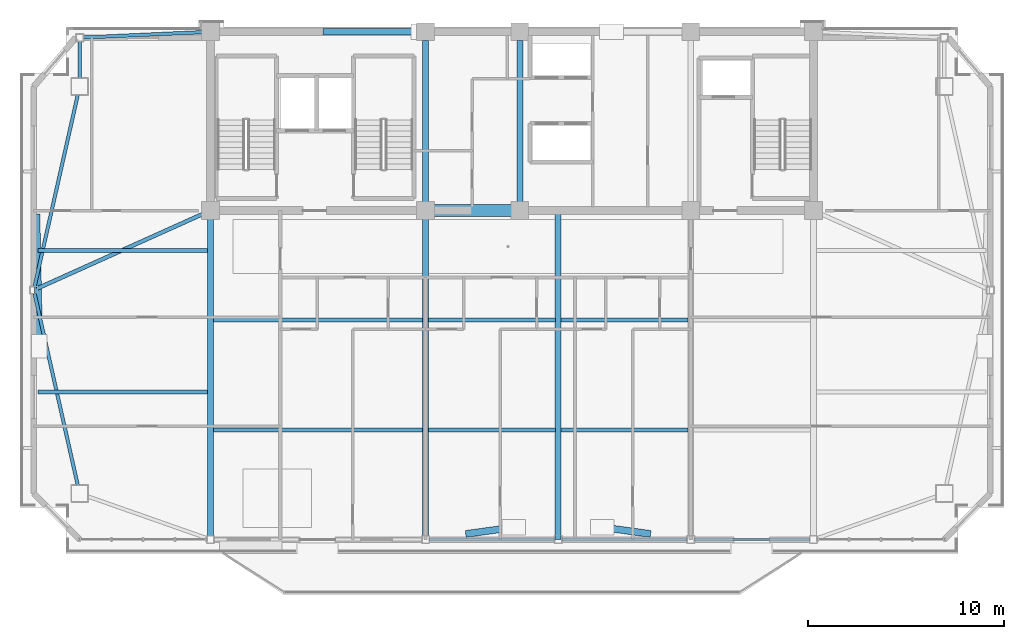
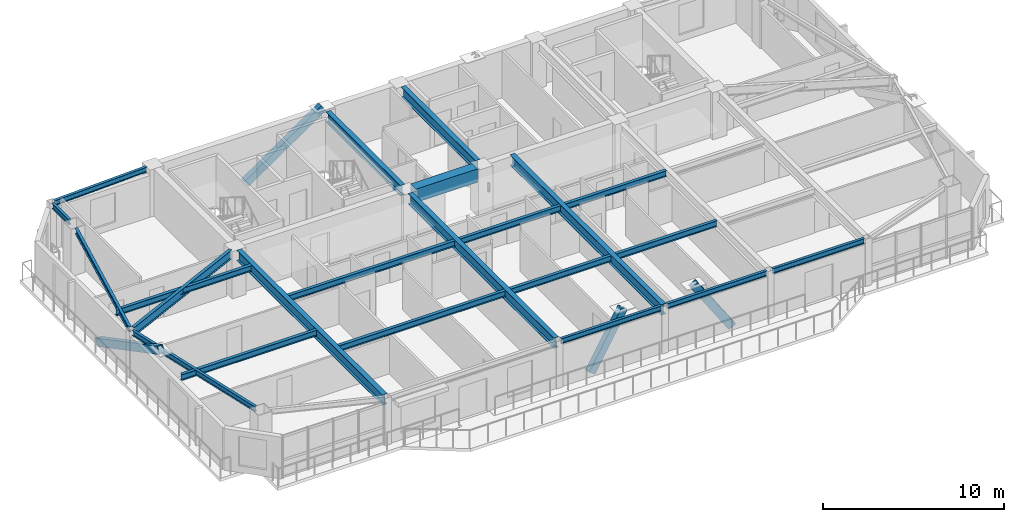
# One storey, part 3 of 14: 22 beams, 4 members.
"""IFC4 building model written with IfcOpenShell, lengths in metres."""

from ifc_helpers import new_model, si_unit, direction, frame, origin, origin_2d, place, context, subcontext, project, spatial, rectangle, hollow_rectangle, i_section, extrude, source, transform, mapped, material, material_profile, profile_set, type_object, element, save


model = new_model("IFC4")

# Units and contexts
model_context = context("Model", 3, precision=1e-05, world=origin(), true_north=direction((0.0, 1.0)))
body_context = subcontext(model_context, "Body", "Model", "MODEL_VIEW")
ifc_project = project(units=[si_unit("LENGTHUNIT", "METRE"), si_unit("AREAUNIT", "SQUARE_METRE"), si_unit("VOLUMEUNIT", "CUBIC_METRE"), si_unit("PLANEANGLEUNIT", "RADIAN"), si_unit("MASSUNIT", "GRAM", prefix="KILO")], contexts=[model_context])

# Site, building, storey
site_placement = place(None, origin())
site = spatial("IfcSite", under=ifc_project, at=site_placement, CompositionType="ELEMENT")
building_placement = place(site_placement, origin())
building = spatial("IfcBuilding", under=site, at=building_placement, Name="Giltprow Tower", CompositionType="ELEMENT")
storey_placement = place(building_placement, frame((0.0, 0.0, 317.60009765625)))
storey = spatial("IfcBuildingStorey", under=building, at=storey_placement, Name="L82", CompositionType="ELEMENT", Elevation=317.60009765625)

# Beams
ifc_material_1 = material(Name="Structural steel Q355B", Category="steel")
ifc_material_profile_1 = material_profile(ifc_material_1, i_section(OverallWidth=0.199951171875, OverallDepth=0.39990234375, WebThickness=0.008056640625, FlangeThickness=0.012939453125, at=origin_2d()), Name="HN 400x200x8x13")
ifc_profile_set_1 = profile_set([ifc_material_profile_1], Name="Structural steel Q355B")
beam_type_1 = type_object("IfcBeamType", Name="BM-JOIST-HN400", PredefinedType="JOIST", material=ifc_profile_set_1)
shared_shape_1 = source(origin(), body_context, "Body", "SweptSolid", [
    extrude(i_section(OverallWidth=0.199951171875, OverallDepth=0.39990234375, WebThickness=0.008056640625, FlangeThickness=0.012939453125, at=origin_2d()), origin(), (0.0, 0.0, 1.0), 10.659912109375),
])
for number, where, z_axis, x_axis, name in (
    (1, (19.9951171875, 26.285888671875, 2.98486328125), (1.0, 0.0, 0.0), (0.0, 1.0, 0.0), "L82 Composite Floor Joist 1-1"),
    (2, (19.9951171875, 31.867919921875, 2.98486328125), (1.0, 0.0, 0.0), (0.0, 1.0, 0.0), "L82 Composite Floor Joist 2-1"),
):
    element("IfcBeam", number, at=place(storey_placement, frame(where, z_axis=z_axis, x_axis=x_axis)), inside=storey, type_object=beam_type_1, Name=name, PredefinedType="JOIST", context=body_context, shape_type="MappedRepresentation", body=[
        mapped(shared_shape_1, transform((0.0, 0.0, 0.0), x_axis=(1.0, 0.0, 0.0), y_axis=(0.0, 1.0, 0.0), z_axis=(0.0, 0.0, 1.0), scale=1.0)),
    ])
shared_shape_2 = source(origin(), body_context, "Body", "SweptSolid", [
    extrude(i_section(OverallWidth=0.199951171875, OverallDepth=0.39990234375, WebThickness=0.008056640625, FlangeThickness=0.012939453125, at=origin_2d()), origin(), (0.0, 0.0, 1.0), 6.4599609375),
])
for number, where, z_axis, x_axis, name in (
    (3, (30.945068359375, 26.285888671875, 2.98486328125), (1.0, 0.0, 0.0), (0.0, 1.0, 0.0), "L82 Composite Floor Joist 1-2"),
    (4, (37.695068359375, 26.285888671875, 2.98486328125), (1.0, 0.0, 0.0), (0.0, 1.0, 0.0), "L82 Composite Floor Joist 1-3"),
    (5, (30.945068359375, 31.867919921875, 2.98486328125), (1.0, 0.0, 0.0), (0.0, 1.0, 0.0), "L82 Composite Floor Joist 2-2"),
    (6, (37.695068359375, 31.867919921875, 2.98486328125), (1.0, 0.0, 0.0), (0.0, 1.0, 0.0), "L82 Composite Floor Joist 2-3"),
):
    element("IfcBeam", number, at=place(storey_placement, frame(where, z_axis=z_axis, x_axis=x_axis)), inside=storey, type_object=beam_type_1, Name=name, PredefinedType="JOIST", context=body_context, shape_type="MappedRepresentation", body=[
        mapped(shared_shape_2, transform((0.0, 0.0, 0.0), x_axis=(1.0, 0.0, 0.0), y_axis=(0.0, 1.0, 0.0), z_axis=(0.0, 0.0, 1.0), scale=1.0)),
    ])
ifc_material_2 = material(Name="Concrete C50", Category="concrete")
ifc_material_profile_2 = material_profile(ifc_material_2, rectangle(XDim=0.60009765625, YDim=0.89990234375, at=origin_2d()), Name="RC 900x600")
ifc_profile_set_2 = profile_set([ifc_material_profile_2], Name="Concrete C50")
beam_type_2 = type_object("IfcBeamType", Name="BM-CPL-RC900", PredefinedType="LINTEL", material=ifc_profile_set_2)
shared_shape_3 = source(origin(), body_context, "Body", "SweptSolid", [
    extrude(rectangle(XDim=0.60009765625, YDim=0.89990234375, at=origin_2d()), origin(), (0.0, 0.0, 1.0), 3.929931640625),
])
beam_1_placement = place(storey_placement, frame((31.235107421875, 37.449951171875, 2.73486328125), z_axis=(1.0, 0.0, 0.0), x_axis=(0.0, 1.0, 0.0)))
element("IfcBeam", 7, at=beam_1_placement, inside=storey, type_object=beam_type_2, Name="L82 Core Coupling Beam CB-1", PredefinedType="LINTEL", context=body_context, shape_type="MappedRepresentation", body=[
    mapped(shared_shape_3, transform((0.0, 0.0, 0.0), x_axis=(1.0, 0.0, 0.0), y_axis=(0.0, 1.0, 0.0), z_axis=(0.0, 0.0, 1.0), scale=1.0)),
])
ifc_material_profile_3 = material_profile(ifc_material_1, i_section(OverallWidth=0.300048828125, OverallDepth=0.699951171875, WebThickness=0.012939453125, FlangeThickness=0.02392578125, at=origin_2d()), Name="HN 700x300x13x24")
ifc_profile_set_3 = profile_set([ifc_material_profile_3], Name="Structural steel Q355B")
beam_type_3 = type_object("IfcBeamType", Name="BM-GIRD-HN700", PredefinedType="BEAM", material=ifc_profile_set_3)
shared_shape_4 = source(origin(), body_context, "Body", "SweptSolid", [
    extrude(i_section(OverallWidth=0.300048828125, OverallDepth=0.699951171875, WebThickness=0.012939453125, FlangeThickness=0.02392578125, at=origin_2d()), origin(), (0.0, 0.0, 1.0), 8.22998046875),
])
for number, where, z_axis, x_axis, name in (
    (8, (30.800048828125, 37.885009765625, 2.8349609375), (0.0, 1.0, 0.0), (-1.0, 0.0, 0.0), "L82 Core Tie Girder M1"),
    (9, (35.60009765625, 37.885009765625, 2.8349609375), (0.0, 1.0, 0.0), (-1.0, 0.0, 0.0), "L82 Core Tie Girder M2"),
):
    element("IfcBeam", number, at=place(storey_placement, frame(where, z_axis=z_axis, x_axis=x_axis)), inside=storey, type_object=beam_type_3, Name=name, PredefinedType="BEAM", context=body_context, shape_type="MappedRepresentation", body=[
        mapped(shared_shape_4, transform((0.0, 0.0, 0.0), x_axis=(1.0, 0.0, 0.0), y_axis=(0.0, 1.0, 0.0), z_axis=(0.0, 0.0, 1.0), scale=1.0)),
    ])
ifc_material_profile_4 = material_profile(ifc_material_1, i_section(OverallWidth=0.175048828125, OverallDepth=0.35009765625, WebThickness=0.007080078125, FlangeThickness=0.010986328125, at=origin_2d()), Name="HN 350x175x7x11")
ifc_profile_set_4 = profile_set([ifc_material_profile_4], Name="Structural steel Q355B")
beam_type_4 = type_object("IfcBeamType", Name="BM-SPAN-HN350", PredefinedType="SPANDREL", material=ifc_profile_set_4)
shared_shape_5 = source(origin(), body_context, "Body", "SweptSolid", [
    extrude(i_section(OverallWidth=0.175048828125, OverallDepth=0.35009765625, WebThickness=0.007080078125, FlangeThickness=0.010986328125, at=origin_2d()), origin(), (0.0, 0.0, 1.0), 6.3798828125),
])
for number, where, z_axis, x_axis, name in (
    (10, (30.985107421875, 20.7041015625, 3.010009765625), (1.0, 0.0, 0.0), (0.0, 1.0, 0.0), "L82 Perimeter Spandrel Beam S2-S_MID"),
    (11, (37.735107421875, 20.7041015625, 3.010009765625), (1.0, 0.0, 0.0), (0.0, 1.0, 0.0), "L82 Perimeter Spandrel Beam S_MID-S3"),
):
    element("IfcBeam", number, at=place(storey_placement, frame(where, z_axis=z_axis, x_axis=x_axis)), inside=storey, type_object=beam_type_4, Name=name, PredefinedType="SPANDREL", context=body_context, shape_type="MappedRepresentation", body=[
        mapped(shared_shape_5, transform((0.0, 0.0, 0.0), x_axis=(1.0, 0.0, 0.0), y_axis=(0.0, 1.0, 0.0), z_axis=(0.0, 0.0, 1.0), scale=1.0)),
    ])
shared_shape_6 = source(origin(), body_context, "Body", "SweptSolid", [
    extrude(i_section(OverallWidth=0.175048828125, OverallDepth=0.35009765625, WebThickness=0.007080078125, FlangeThickness=0.010986328125, at=origin_2d()), origin(), (0.0, 0.0, 1.0), 5.8798828125),
])
beam_2_placement = place(storey_placement, frame((44.485107421875, 20.7041015625, 3.010009765625), z_axis=(1.0, 0.0, 0.0), x_axis=(0.0, 1.0, 0.0)))
element("IfcBeam", 12, at=beam_2_placement, inside=storey, type_object=beam_type_4, Name="L82 Perimeter Spandrel Beam S3-S4", PredefinedType="SPANDREL", context=body_context, shape_type="MappedRepresentation", body=[
    mapped(shared_shape_6, transform((0.0, 0.0, 0.0), x_axis=(1.0, 0.0, 0.0), y_axis=(0.0, 1.0, 0.0), z_axis=(0.0, 0.0, 1.0), scale=1.0)),
])
shared_shape_7 = source(origin(), body_context, "Body", "SweptSolid", [
    extrude(i_section(OverallWidth=0.175048828125, OverallDepth=0.35009765625, WebThickness=0.007080078125, FlangeThickness=0.010986328125, at=origin_2d()), origin(), (0.0, 0.0, 1.0), 10.0009765625),
])
for number, where, z_axis, x_axis, name in (
    (13, (13.096923828125, 43.337890625, 3.010009765625), (-0.22006980481, -0.975484126478, 0.0), (0.975484126478, -0.22006980481, 0.0), "L82 Perimeter Spandrel Beam MC_NW-W_MID"),
    (14, (10.89599609375, 33.221923828125, 3.010009765625), (0.22006980481, -0.975484126478, 0.0), (0.975484126478, 0.22006980481, 0.0), "L82 Perimeter Spandrel Beam W_MID-MC_SW"),
):
    element("IfcBeam", number, at=place(storey_placement, frame(where, z_axis=z_axis, x_axis=x_axis)), inside=storey, type_object=beam_type_4, Name=name, PredefinedType="SPANDREL", context=body_context, shape_type="MappedRepresentation", body=[
        mapped(shared_shape_7, transform((0.0, 0.0, 0.0), x_axis=(1.0, 0.0, 0.0), y_axis=(0.0, 1.0, 0.0), z_axis=(0.0, 0.0, 1.0), scale=1.0)),
    ])
shared_shape_8 = source(origin(), body_context, "Body", "SweptSolid", [
    extrude(i_section(OverallWidth=0.175048828125, OverallDepth=0.35009765625, WebThickness=0.007080078125, FlangeThickness=0.010986328125, at=origin_2d()), origin(), (0.0, 0.0, 1.0), 1.867919921875),
])
beam_3_placement = place(storey_placement, frame((13.193115234375, 46.06494140625, 3.010009765625), z_axis=(0.0, -1.0, 0.0), x_axis=(1.0, 0.0, 0.0)))
element("IfcBeam", 15, at=beam_3_placement, inside=storey, type_object=beam_type_4, Name="L82 Perimeter Spandrel Beam N_W-MC_NW", PredefinedType="SPANDREL", context=body_context, shape_type="MappedRepresentation", body=[
    mapped(shared_shape_8, transform((0.0, 0.0, 0.0), x_axis=(1.0, 0.0, 0.0), y_axis=(0.0, 1.0, 0.0), z_axis=(0.0, 0.0, 1.0), scale=1.0)),
])
shared_shape_9 = source(origin(), body_context, "Body", "SweptSolid", [
    extrude(i_section(OverallWidth=0.175048828125, OverallDepth=0.35009765625, WebThickness=0.007080078125, FlangeThickness=0.010986328125, at=origin_2d()), origin(), (0.0, 0.0, 1.0), 6.043212890625),
])
beam_4_placement = place(storey_placement, frame((13.3779296875, 46.258056640625, 3.010009765625), z_axis=(0.998986784184, 0.045004500064, 0.0), x_axis=(-0.045004500064, 0.998986784184, 0.0)))
element("IfcBeam", 16, at=beam_4_placement, inside=storey, type_object=beam_type_4, Name="L82 North Wing Spandrel W", PredefinedType="SPANDREL", context=body_context, shape_type="MappedRepresentation", body=[
    mapped(shared_shape_9, transform((0.0, 0.0, 0.0), x_axis=(1.0, 0.0, 0.0), y_axis=(0.0, 1.0, 0.0), z_axis=(0.0, 0.0, 1.0), scale=1.0)),
])
shared_shape_10 = source(origin(), body_context, "Body", "SweptSolid", [
    extrude(i_section(OverallWidth=0.300048828125, OverallDepth=0.699951171875, WebThickness=0.012939453125, FlangeThickness=0.02392578125, at=origin_2d()), origin(), (0.0, 0.0, 1.0), 16.1259765625),
])
for number, where, z_axis, x_axis, name in (
    (17, (19.85009765625, 20.888916015625, 2.8349609375), (0.0, 1.0, 0.0), (-1.0, 0.0, 0.0), "L82 Primary Lease Girder S1"),
    (18, (30.800048828125, 20.888916015625, 2.8349609375), (0.0, 1.0, 0.0), (-1.0, 0.0, 0.0), "L82 Primary Lease Girder S2"),
):
    element("IfcBeam", number, at=place(storey_placement, frame(where, z_axis=z_axis, x_axis=x_axis)), inside=storey, type_object=beam_type_3, Name=name, PredefinedType="BEAM", context=body_context, shape_type="MappedRepresentation", body=[
        mapped(shared_shape_10, transform((0.0, 0.0, 0.0), x_axis=(1.0, 0.0, 0.0), y_axis=(0.0, 1.0, 0.0), z_axis=(0.0, 0.0, 1.0), scale=1.0)),
    ])
shared_shape_11 = source(origin(), body_context, "Body", "SweptSolid", [
    extrude(i_section(OverallWidth=0.300048828125, OverallDepth=0.699951171875, WebThickness=0.012939453125, FlangeThickness=0.02392578125, at=origin_2d()), origin(), (0.0, 0.0, 1.0), 16.745849609375),
])
beam_5_placement = place(storey_placement, frame((37.550048828125, 20.7041015625, 2.8349609375), z_axis=(0.0, 1.0, 0.0), x_axis=(-1.0, 0.0, 0.0)))
element("IfcBeam", 19, at=beam_5_placement, inside=storey, type_object=beam_type_3, Name="L82 Central Lease Girder SMID", PredefinedType="BEAM", context=body_context, shape_type="MappedRepresentation", body=[
    mapped(shared_shape_11, transform((0.0, 0.0, 0.0), x_axis=(1.0, 0.0, 0.0), y_axis=(0.0, 1.0, 0.0), z_axis=(0.0, 0.0, 1.0), scale=1.0)),
])
ifc_material_profile_5 = material_profile(ifc_material_1, i_section(OverallWidth=0.199951171875, OverallDepth=0.60009765625, WebThickness=0.010986328125, FlangeThickness=0.01708984375, at=origin_2d()), Name="HN 600x200x11x17")
ifc_profile_set_5 = profile_set([ifc_material_profile_5], Name="Structural steel Q355B")
beam_type_5 = type_object("IfcBeamType", Name="BM-GIRD-HN600", PredefinedType="BEAM", material=ifc_profile_set_5)
shared_shape_12 = source(origin(), body_context, "Body", "SweptSolid", [
    extrude(i_section(OverallWidth=0.199951171875, OverallDepth=0.60009765625, WebThickness=0.010986328125, FlangeThickness=0.01708984375, at=origin_2d()), origin(), (0.0, 0.0, 1.0), 9.2431640625),
])
beam_6_placement = place(storey_placement, frame((11.02392578125, 33.47802734375, 2.885009765625), z_axis=(0.91192397627, 0.410359185962, 0.0), x_axis=(-0.410359185962, 0.91192397627, 0.0)))
element("IfcBeam", 20, at=beam_6_placement, inside=storey, type_object=beam_type_5, Name="L82 West Wing Primary Girder", PredefinedType="BEAM", context=body_context, shape_type="MappedRepresentation", body=[
    mapped(shared_shape_12, transform((0.0, 0.0, 0.0), x_axis=(1.0, 0.0, 0.0), y_axis=(0.0, 1.0, 0.0), z_axis=(0.0, 0.0, 1.0), scale=1.0)),
])
shared_shape_13 = source(origin(), body_context, "Body", "SweptSolid", [
    extrude(i_section(OverallWidth=0.199951171875, OverallDepth=0.39990234375, WebThickness=0.008056640625, FlangeThickness=0.012939453125, at=origin_2d()), origin(), (0.0, 0.0, 1.0), 8.630126953125),
])
for number, where, z_axis, x_axis, name in (
    (21, (11.074951171875, 28.221923828125, 2.98486328125), (1.0, 0.0, 0.0), (0.0, 1.0, 0.0), "L82 West Wing Floor Joist 1"),
    (22, (11.074951171875, 35.426025390625, 2.98486328125), (1.0, 0.0, 0.0), (0.0, 1.0, 0.0), "L82 West Wing Floor Joist 2"),
):
    element("IfcBeam", number, at=place(storey_placement, frame(where, z_axis=z_axis, x_axis=x_axis)), inside=storey, type_object=beam_type_1, Name=name, PredefinedType="JOIST", context=body_context, shape_type="MappedRepresentation", body=[
        mapped(shared_shape_13, transform((0.0, 0.0, 0.0), x_axis=(1.0, 0.0, 0.0), y_axis=(0.0, 1.0, 0.0), z_axis=(0.0, 0.0, 1.0), scale=1.0)),
    ])

# Members
ifc_material_3 = material(Name="Structural steel Q420GJC", Category="steel")
ifc_material_profile_6 = material_profile(ifc_material_3, hollow_rectangle(XDim=0.35009765625, YDim=0.5, WallThickness=0.02392578125, at=origin_2d()), Name="RHS 500x350x24")
ifc_profile_set_6 = profile_set([ifc_material_profile_6], Name="Structural steel Q420GJC")
member_type = type_object("IfcMemberType", Name="MBR-MEGA-RHS500", PredefinedType="BRACE", material=ifc_profile_set_6)
shared_shape_14 = source(origin(), body_context, "Body", "SweptSolid", [
    extrude(hollow_rectangle(XDim=0.35009765625, YDim=0.5, WallThickness=0.02392578125, at=origin_2d()), origin(), (0.0, 0.0, 1.0), 4.0888671875),
])
for number, where, z_axis, x_axis, name in (
    (23, (33.050048828125, 21.014892578125, 0.0), (0.550288855758, 0.075831906121, 0.831523720192), (-0.13651372484, 0.990638179625, 0.0), "L82 Chevron Mega-Brace S-L"),
    (24, (42.050048828125, 21.014892578125, 0.0), (-0.550288855758, 0.075831906121, 0.831523720192), (-0.13651372484, -0.990638179625, 0.0), "L82 Chevron Mega-Brace S-R"),
):
    element("IfcMember", number, at=place(storey_placement, frame(where, z_axis=z_axis, x_axis=x_axis)), inside=storey, type_object=member_type, Name=name, PredefinedType="BRACE", context=body_context, shape_type="MappedRepresentation", body=[
        mapped(shared_shape_14, transform((0.0, 0.0, 0.0), x_axis=(1.0, 0.0, 0.0), y_axis=(0.0, 1.0, 0.0), z_axis=(0.0, 0.0, 1.0), scale=1.0)),
    ])
shared_shape_15 = source(origin(), body_context, "Body", "SweptSolid", [
    extrude(hollow_rectangle(XDim=0.35009765625, YDim=0.5, WallThickness=0.02392578125, at=origin_2d()), origin(), (0.0, 0.0, 1.0), 5.9921875),
])
member_1_placement = place(storey_placement, frame((25.73291015625, 46.550048828125, -0.14013671875), z_axis=(0.823420878969, 0.0, 0.567431102494), x_axis=(0.0, 1.0, 0.0)))
element("IfcMember", 25, at=member_1_placement, inside=storey, type_object=member_type, Name="L82 Chevron Mega-Brace N-L", PredefinedType="BRACE", context=body_context, shape_type="MappedRepresentation", body=[
    mapped(shared_shape_15, transform((0.0, 0.0, 0.0), x_axis=(1.0, 0.0, 0.0), y_axis=(0.0, 1.0, 0.0), z_axis=(0.0, 0.0, 1.0), scale=1.0)),
])
shared_shape_16 = source(origin(), body_context, "Body", "SweptSolid", [
    extrude(hollow_rectangle(XDim=0.35009765625, YDim=0.5, WallThickness=0.02392578125, at=origin_2d()), origin(), (0.0, 0.0, 1.0), 7.43603515625),
])
member_2_placement = place(storey_placement, frame((10.992919921875, 37.15087890625, 0.0), z_axis=(0.018714261446, -0.889157242967, 0.457218955969), x_axis=(0.999778581457, 0.021042529777, 0.0)))
element("IfcMember", 26, at=member_2_placement, inside=storey, type_object=member_type, Name="L82 Chevron Mega-Brace W-D", PredefinedType="BRACE", context=body_context, shape_type="MappedRepresentation", body=[
    mapped(shared_shape_16, transform((0.0, 0.0, 0.0), x_axis=(1.0, 0.0, 0.0), y_axis=(0.0, 1.0, 0.0), z_axis=(0.0, 0.0, 1.0), scale=1.0)),
])

save(model, "model.ifc")
